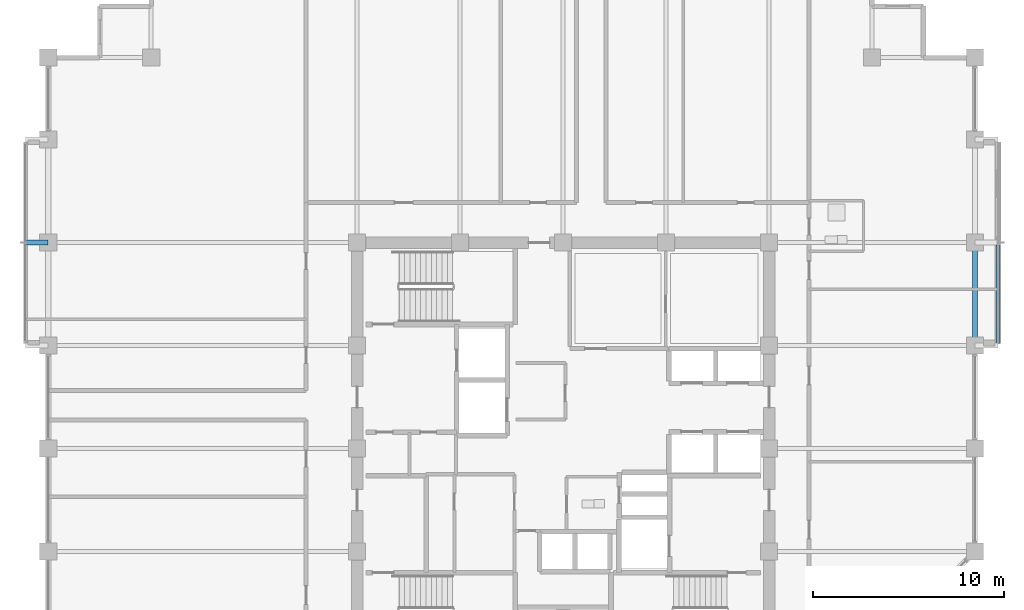
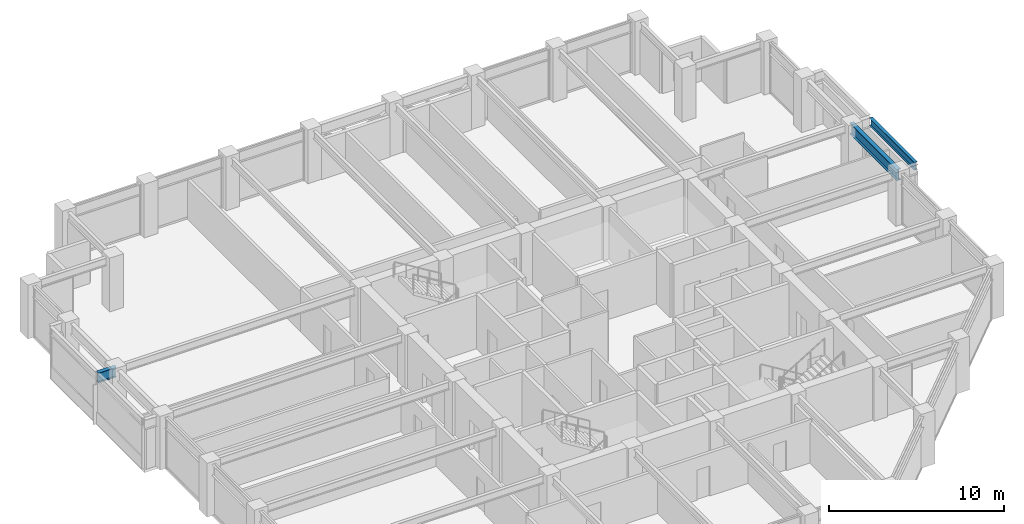
# One storey, part 15 of 32: 3 beams.
"""IFC4 building model written with IfcOpenShell, lengths in metres."""

from ifc_helpers import new_model, si_unit, direction, frame, origin, origin_2d, place, context, subcontext, project, spatial, i_section, extrude, material, material_profile, profile_set, type_object, element, save


model = new_model("IFC4")

# Units and contexts
model_context = context("Model", 3, precision=1e-05, world=origin(), true_north=direction((0.0, 1.0)))
body_context = subcontext(model_context, "Body", "Model", "MODEL_VIEW")
ifc_project = project(units=[si_unit("LENGTHUNIT", "METRE"), si_unit("AREAUNIT", "SQUARE_METRE"), si_unit("VOLUMEUNIT", "CUBIC_METRE"), si_unit("PLANEANGLEUNIT", "RADIAN"), si_unit("MASSUNIT", "GRAM", prefix="KILO")], contexts=[model_context])

# Site, building, storey
site_placement = place(None, origin())
site = spatial("IfcSite", under=ifc_project, at=site_placement, CompositionType="ELEMENT")
building_placement = place(site_placement, origin())
building = spatial("IfcBuilding", under=site, at=building_placement, Name="Surkhivell Harbour Commons", CompositionType="ELEMENT")
storey_placement = place(building_placement, frame((0.0, 0.0, 189.75)))
storey = spatial("IfcBuildingStorey", under=building, at=storey_placement, Name="L49", CompositionType="ELEMENT", Elevation=189.75)

# Beams
ifc_material_1 = material(Name="Steel S460", Category="steel")
ifc_material_profile_1 = material_profile(ifc_material_1, i_section(OverallWidth=0.256103515625, OverallDepth=0.693115234375, WebThickness=0.014404296875, FlangeThickness=0.023681640625, at=origin_2d()), Name="UB686x254x170")
ifc_profile_set_1 = profile_set([ifc_material_profile_1], Name="Steel S460")
beam_type_1 = type_object("IfcBeamType", Name="BM-CNT-686", PredefinedType="BEAM", material=ifc_profile_set_1)
beam_1_placement = place(storey_placement, frame((-27.0, 10.800048828125, 3.223388671875), z_axis=(-1.0, 0.0, 0.0), x_axis=(0.0, -1.0, 0.0)))
element("IfcBeam", 1, at=beam_1_placement, inside=storey, type_object=beam_type_1, Name="L49 Box Cantilever Outrigger (-27.0,10.8)", PredefinedType="BEAM", context=body_context, shape_type="SweptSolid", body=[
    extrude(i_section(OverallWidth=0.256103515625, OverallDepth=0.693115234375, WebThickness=0.014404296875, FlangeThickness=0.023681640625, at=origin_2d()), origin(), (0.0, 0.0, 1.0), 1.199951171875),
])
ifc_material_2 = material(Name="Steel S355", Category="steel")
ifc_material_profile_2 = material_profile(ifc_material_2, i_section(OverallWidth=0.2099609375, OverallDepth=0.537109375, WebThickness=0.0107421875, FlangeThickness=0.017333984375, at=origin_2d()), Name="UB533x210x101")
ifc_profile_set_2 = profile_set([ifc_material_profile_2], Name="Steel S355")
beam_type_2 = type_object("IfcBeamType", Name="BM-GRD-533B", PredefinedType="BEAM", material=ifc_profile_set_2)
beam_2_placement = place(storey_placement, frame((22.800048828125, 5.52197265625, 3.301513671875), z_axis=(0.0, 1.0, 0.0), x_axis=(-1.0, 0.0, 0.0)))
element("IfcBeam", 2, at=beam_2_placement, inside=storey, type_object=beam_type_2, Name="L49 Box Rim Spandrel (22.8,5.4)", PredefinedType="BEAM", context=body_context, shape_type="SweptSolid", body=[
    extrude(i_section(OverallWidth=0.2099609375, OverallDepth=0.537109375, WebThickness=0.0107421875, FlangeThickness=0.017333984375, at=origin_2d()), origin(), (0.0, 0.0, 1.0), 5.156005859375),
])
ifc_material_profile_3 = material_profile(ifc_material_2, i_section(OverallWidth=0.26806640625, OverallDepth=0.77001953125, WebThickness=0.015625, FlangeThickness=0.025390625, at=origin_2d()), Name="UB762x267x197")
ifc_profile_set_3 = profile_set([ifc_material_profile_3], Name="Steel S355")
beam_type_3 = type_object("IfcBeamType", Name="BM-SPN-762", PredefinedType="SPANDREL", material=ifc_profile_set_3)
beam_3_placement = place(storey_placement, frame((21.60009765625, 5.39990234375, 3.18505859375), z_axis=(0.0, 1.0, 0.0), x_axis=(-1.0, 0.0, 0.0)))
element("IfcBeam", 3, at=beam_3_placement, inside=storey, type_object=beam_type_3, Name="L49 Tube Spandrel (21.6,5.4)", PredefinedType="SPANDREL", context=body_context, shape_type="SweptSolid", body=[
    extrude(i_section(OverallWidth=0.26806640625, OverallDepth=0.77001953125, WebThickness=0.015625, FlangeThickness=0.025390625, at=origin_2d()), origin(), (0.0, 0.0, 1.0), 5.400146484375),
])

save(model, "model.ifc")
